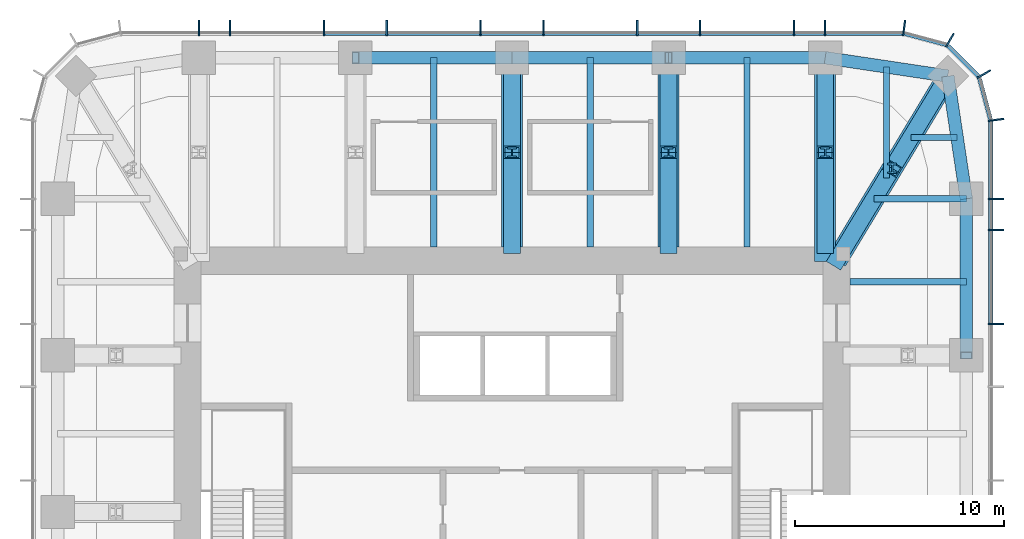
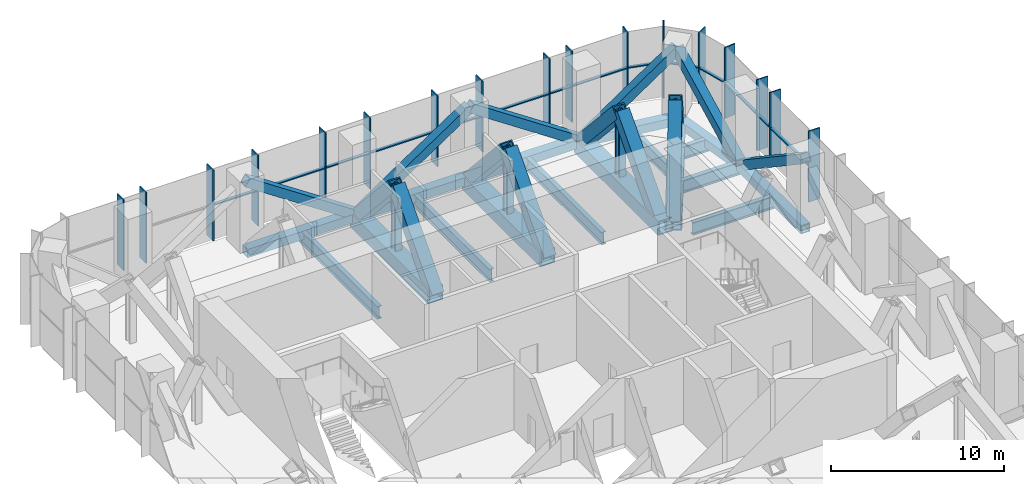
# One storey, part 4 of 9: 59 members, 7 beams, 3 elements without a shape of their own.
"""IFC4 building model written with IfcOpenShell, lengths in metres."""

from ifc_helpers import new_model, si_unit, direction, frame, origin, origin_2d, place, context, subcontext, project, spatial, rectangle, hollow_rectangle, i_section, extrude, material, material_profile, profile_set, type_object, element, aggregate, save


model = new_model("IFC4")

# Units and contexts
model_context = context("Model", 3, precision=1e-05, world=origin(), true_north=direction((0.0, 1.0)))
body_context = subcontext(model_context, "Body", "Model", "MODEL_VIEW")
ifc_project = project(units=[si_unit("LENGTHUNIT", "METRE"), si_unit("AREAUNIT", "SQUARE_METRE"), si_unit("VOLUMEUNIT", "CUBIC_METRE"), si_unit("PLANEANGLEUNIT", "RADIAN"), si_unit("MASSUNIT", "GRAM", prefix="KILO")], contexts=[model_context])

# Site, building, storey
site_placement = place(None, origin())
site = spatial("IfcSite", under=ifc_project, at=site_placement, CompositionType="ELEMENT")
building_placement = place(site_placement, origin())
building = spatial("IfcBuilding", under=site, at=building_placement, Name="Khuree Lantern Residences", CompositionType="ELEMENT")
storey_placement = place(building_placement, frame((0.0, 0.0, 353.25)))
storey = spatial("IfcBuildingStorey", under=building, at=storey_placement, Name="L89", CompositionType="ELEMENT", Elevation=353.25)

# Beams
ifc_material_1 = material(Name="Steel S355", Category="steel")
ifc_material_profile_1 = material_profile(ifc_material_1, i_section(OverallWidth=0.300048828125, OverallDepth=0.889892578125, WebThickness=0.01611328125, FlangeThickness=0.030029296875, FilletRadius=0.030029296875, at=origin_2d()), Name="HE 900 A")
ifc_profile_set_1 = profile_set([ifc_material_profile_1], Name="Steel S355")
beam_type_1 = type_object("IfcBeamType", Name="B-89 SECONDARY BEAM HE 900 A", PredefinedType="BEAM", material=ifc_profile_set_1)
for number, where, z_axis, x_axis, name in (
    (1, (-3.739990234375, 21.699951171875, -0.7451171875), (0.0, -1.0, 0.0), (1.0, 0.0, 0.0), "Secondary beam N2"),
    (2, (3.739990234375, 21.699951171875, -0.7451171875), (0.0, -1.0, 0.0), (1.0, 0.0, 0.0), "Secondary beam N3"),
    (3, (11.219970703125, 21.699951171875, -0.7451171875), (0.0, -1.0, 0.0), (1.0, 0.0, 0.0), "Secondary beam N4"),
):
    element("IfcBeam", number, at=place(storey_placement, frame(where, z_axis=z_axis, x_axis=x_axis)), inside=storey, type_object=beam_type_1, Name=name, PredefinedType="BEAM", context=body_context, shape_type="SweptSolid", body=[
        extrude(i_section(OverallWidth=0.300048828125, OverallDepth=0.889892578125, WebThickness=0.01611328125, FlangeThickness=0.030029296875, FilletRadius=0.030029296875, at=origin_2d()), origin(), (0.0, 0.0, 1.0), 9.050048828125),
    ])
beam_1_placement = place(storey_placement, frame((17.890625, 21.2607421875, -0.7451171875), z_axis=(0.0, -1.0, 0.0), x_axis=(1.0, 0.0, 0.0)))
element("IfcBeam", 4, at=beam_1_placement, inside=storey, type_object=beam_type_1, Name="Secondary beam N5", PredefinedType="BEAM", context=body_context, shape_type="SweptSolid", body=[
    extrude(i_section(OverallWidth=0.300048828125, OverallDepth=0.889892578125, WebThickness=0.01611328125, FlangeThickness=0.030029296875, FilletRadius=0.030029296875, at=origin_2d()), origin(), (0.0, 0.0, 1.0), 5.297607421875),
])
beam_2_placement = place(storey_placement, frame((21.2607421875, 17.890625, -0.7451171875), z_axis=(-1.0, 0.0, 0.0), x_axis=(0.0, -1.0, 0.0)))
element("IfcBeam", 5, at=beam_2_placement, inside=storey, type_object=beam_type_1, Name="Secondary beam E1", PredefinedType="BEAM", context=body_context, shape_type="SweptSolid", body=[
    extrude(i_section(OverallWidth=0.300048828125, OverallDepth=0.889892578125, WebThickness=0.01611328125, FlangeThickness=0.030029296875, FilletRadius=0.030029296875, at=origin_2d()), origin(), (0.0, 0.0, 1.0), 2.207275390625),
])
beam_3_placement = place(storey_placement, frame((21.699951171875, 11.0, -0.7451171875), z_axis=(-1.0, 0.0, 0.0), x_axis=(0.0, -1.0, 0.0)))
element("IfcBeam", 6, at=beam_3_placement, inside=storey, type_object=beam_type_1, Name="Secondary beam E2", PredefinedType="BEAM", context=body_context, shape_type="SweptSolid", body=[
    extrude(i_section(OverallWidth=0.300048828125, OverallDepth=0.889892578125, WebThickness=0.01611328125, FlangeThickness=0.030029296875, FilletRadius=0.030029296875, at=origin_2d()), origin(), (0.0, 0.0, 1.0), 5.550048828125),
])

# Members
ifc_material_profile_2 = material_profile(ifc_material_1, hollow_rectangle(XDim=0.60009765625, YDim=0.60009765625, WallThickness=0.050048828125, at=origin_2d()), Name="WELDED BOX 600X600X50")
ifc_profile_set_2 = profile_set([ifc_material_profile_2], Name="Steel S355")
member_type_1 = type_object("IfcMemberType", Name="BD-89 BELT TRUSS DIAGONAL WELDED BOX 600X600X50", PredefinedType="BRACE", material=ifc_profile_set_2)
for number, where, z_axis, x_axis, name in (
    (7, (-7.47998046875, 21.699951171875, 4.39990234375), (0.831365021271, 0.0, -0.555726732673), (0.0, 1.0, 0.0), "Belt truss diagonal N2"),
    (8, (0.0, 21.699951171875, -0.60009765625), (0.831365021271, 0.0, 0.555726732673), (0.0, 1.0, 0.0), "Belt truss diagonal N3"),
    (9, (7.47998046875, 21.699951171875, 4.39990234375), (0.831365021271, 0.0, -0.555726732673), (0.0, 1.0, 0.0), "Belt truss diagonal N4"),
):
    element("IfcMember", number, at=place(storey_placement, frame(where, z_axis=z_axis, x_axis=x_axis)), inside=storey, type_object=member_type_1, Name=name, PredefinedType="BRACE", context=body_context, shape_type="SweptSolid", body=[
        extrude(hollow_rectangle(XDim=0.60009765625, YDim=0.60009765625, WallThickness=0.050048828125, at=origin_2d()), origin(), (0.0, 0.0, 1.0), 8.997314453125),
    ])
for number, where, z_axis, x_axis, name in (
    (10, (14.9599609375, 21.699951171875, -0.60009765625), (0.755893293294, -0.113314726865, 0.644814005609), (0.148251822985, 0.988949643299, 0.0), "Belt truss diagonal N5"),
    (11, (20.8212890625, 20.8212890625, 4.39990234375), (0.113314726865, -0.755893293294, -0.644814005609), (0.988949643299, 0.148251822985, 0.0), "Belt truss diagonal E1"),
):
    element("IfcMember", number, at=place(storey_placement, frame(where, z_axis=z_axis, x_axis=x_axis)), inside=storey, type_object=member_type_1, Name=name, PredefinedType="BRACE", context=body_context, shape_type="SweptSolid", body=[
        extrude(hollow_rectangle(XDim=0.60009765625, YDim=0.60009765625, WallThickness=0.050048828125, at=origin_2d()), origin(), (0.0, 0.0, 1.0), 7.754150390625),
    ])
member_1_placement = place(storey_placement, frame((21.699951171875, 14.9599609375, -0.60009765625), z_axis=(0.0, -0.831365021271, 0.555726732673), x_axis=(1.0, 0.0, 0.0)))
element("IfcMember", 12, at=member_1_placement, inside=storey, type_object=member_type_1, Name="Belt truss diagonal E2", PredefinedType="BRACE", context=body_context, shape_type="SweptSolid", body=[
    extrude(hollow_rectangle(XDim=0.60009765625, YDim=0.60009765625, WallThickness=0.050048828125, at=origin_2d()), origin(), (0.0, 0.0, 1.0), 8.997314453125),
])
ifc_material_profile_3 = material_profile(ifc_material_1, hollow_rectangle(XDim=0.60009765625, YDim=0.60009765625, WallThickness=0.050048828125, at=origin_2d()), Name="WELDED BOX 600X600X50")
ifc_profile_set_3 = profile_set([ifc_material_profile_3], Name="Steel S355")
member_type_2 = type_object("IfcMemberType", Name="BT-89 BELT TRUSS CHORD WELDED BOX 600X600X50", PredefinedType="CHORD", material=ifc_profile_set_3)
for number, where, z_axis, x_axis, name in (
    (13, (-7.47998046875, 21.699951171875, -0.60009765625), (1.0, 0.0, 0.0), (0.0, 1.0, 0.0), "Belt truss chord N2"),
    (14, (0.0, 21.699951171875, -0.60009765625), (1.0, 0.0, 0.0), (0.0, 1.0, 0.0), "Belt truss chord N3"),
    (15, (7.47998046875, 21.699951171875, -0.60009765625), (1.0, 0.0, 0.0), (0.0, 1.0, 0.0), "Belt truss chord N4"),
):
    element("IfcMember", number, at=place(storey_placement, frame(where, z_axis=z_axis, x_axis=x_axis)), inside=storey, type_object=member_type_2, Name=name, PredefinedType="CHORD", context=body_context, shape_type="SweptSolid", body=[
        extrude(hollow_rectangle(XDim=0.60009765625, YDim=0.60009765625, WallThickness=0.050048828125, at=origin_2d()), origin(), (0.0, 0.0, 1.0), 7.47998046875),
    ])
for number, where, z_axis, x_axis, name in (
    (16, (14.9599609375, 21.699951171875, -0.60009765625), (0.988949643299, -0.148251822985, 0.0), (0.148251822985, 0.988949643299, 0.0), "Belt truss chord N5"),
    (17, (20.8212890625, 20.8212890625, -0.60009765625), (0.148251822985, -0.988949643299, 0.0), (0.988949643299, 0.148251822985, 0.0), "Belt truss chord E1"),
):
    element("IfcMember", number, at=place(storey_placement, frame(where, z_axis=z_axis, x_axis=x_axis)), inside=storey, type_object=member_type_2, Name=name, PredefinedType="CHORD", context=body_context, shape_type="SweptSolid", body=[
        extrude(hollow_rectangle(XDim=0.60009765625, YDim=0.60009765625, WallThickness=0.050048828125, at=origin_2d()), origin(), (0.0, 0.0, 1.0), 5.9267578125),
    ])
member_2_placement = place(storey_placement, frame((21.699951171875, 14.9599609375, -0.60009765625), z_axis=(0.0, -1.0, 0.0), x_axis=(1.0, 0.0, 0.0)))
element("IfcMember", 18, at=member_2_placement, inside=storey, type_object=member_type_2, Name="Belt truss chord E2", PredefinedType="CHORD", context=body_context, shape_type="SweptSolid", body=[
    extrude(hollow_rectangle(XDim=0.60009765625, YDim=0.60009765625, WallThickness=0.050048828125, at=origin_2d()), origin(), (0.0, 0.0, 1.0), 7.47998046875),
])

# Curtain wall, members
ifc_material_2 = material(Name="Bronze anodised aluminium", Category="aluminium")
curtain_wall_type = type_object("IfcCurtainWallType", Name="CW-L LANTERN CROWN CURTAIN WALL", PredefinedType="USERDEFINED", material=ifc_material_2)
curtain_wall_1_placement = place(storey_placement, origin())
curtain_wall_1 = element("IfcCurtainWall", 19, at=curtain_wall_1_placement, inside=storey, type_object=curtain_wall_type, Name="L89 EAST FACE CURTAIN WALL", ObjectType="Lantern curtain wall", PredefinedType="USERDEFINED")
ifc_material_profile_4 = material_profile(ifc_material_2, rectangle(XDim=0.074951171875, YDim=0.75, at=origin_2d()), Name="F4 75X750")
ifc_profile_set_4 = profile_set([ifc_material_profile_4], Name="Bronze anodised aluminium")
member_type_3 = type_object("IfcMemberType", Name="F4 BRONZE FIN MULLION LANTERN 75X750", PredefinedType="MULLION", material=ifc_profile_set_4)
member_3_placement = place(storey_placement, frame((23.125, 8.97607421875, 0.0), z_axis=(0.0, 0.0, 1.0), x_axis=(0.0, 1.0, 0.0)))
member_3 = element("IfcMember", 20, at=member_3_placement, type_object=member_type_3, Name="L89 EAST FACE FIN MULLION 12", PredefinedType="MULLION", context=body_context, shape_type="SweptSolid", body=[
    extrude(rectangle(XDim=0.074951171875, YDim=0.75, at=origin_2d()), origin(), (0.0, 0.0, 1.0), 5.0),
])
member_4_placement = place(storey_placement, frame((23.125, 13.464111328125, 0.0), z_axis=(0.0, 0.0, 1.0), x_axis=(0.0, 1.0, 0.0)))
member_4 = element("IfcMember", 21, at=member_4_placement, type_object=member_type_3, Name="L89 EAST FACE FIN MULLION 13", PredefinedType="MULLION", context=body_context, shape_type="SweptSolid", body=[
    extrude(rectangle(XDim=0.074951171875, YDim=0.75, at=origin_2d()), origin(), (0.0, 0.0, 1.0), 5.0),
])
member_5_placement = place(storey_placement, frame((23.125, 14.9599609375, 0.0), z_axis=(0.0, 0.0, 1.0), x_axis=(0.0, 1.0, 0.0)))
member_5 = element("IfcMember", 22, at=member_5_placement, type_object=member_type_3, Name="L89 EAST FACE FIN MULLION 14", PredefinedType="MULLION", context=body_context, shape_type="SweptSolid", body=[
    extrude(rectangle(XDim=0.074951171875, YDim=0.75, at=origin_2d()), origin(), (0.0, 0.0, 1.0), 5.0),
])

curtain_wall_2_placement = place(storey_placement, origin())
curtain_wall_2 = element("IfcCurtainWall", 23, at=curtain_wall_2_placement, inside=storey, type_object=curtain_wall_type, Name="L89 NORTH-EAST CORNER CURTAIN WALL", ObjectType="Lantern curtain wall", PredefinedType="USERDEFINED")
member_6_placement = place(storey_placement, frame((23.12451171875, 18.7294921875, 0.0), z_axis=(0.0, 0.0, 1.0), x_axis=(-0.130526125236, 0.991444870192, 0.0)))
member_6 = element("IfcMember", 24, at=member_6_placement, type_object=member_type_3, Name="L89 NORTH-EAST CORNER FIN MULLION 15", PredefinedType="MULLION", context=body_context, shape_type="SweptSolid", body=[
    extrude(rectangle(XDim=0.074951171875, YDim=0.75, at=origin_2d()), origin(), (0.0, 0.0, 1.0), 5.0),
])
member_7_placement = place(storey_placement, frame((22.5322265625, 20.91259765625, 0.0), z_axis=(0.0, 0.0, 1.0), x_axis=(-0.49999994149, 0.866025437565, 0.0)))
member_7 = element("IfcMember", 25, at=member_7_placement, type_object=member_type_3, Name="L89 NORTH-EAST CORNER FIN MULLION 16", PredefinedType="MULLION", context=body_context, shape_type="SweptSolid", body=[
    extrude(rectangle(XDim=0.074951171875, YDim=0.75, at=origin_2d()), origin(), (0.0, 0.0, 1.0), 5.0),
])
member_8_placement = place(storey_placement, frame((20.91259765625, 22.5322265625, 0.0), z_axis=(0.0, 0.0, 1.0), x_axis=(-0.866025437565, 0.49999994149, 0.0)))
member_8 = element("IfcMember", 26, at=member_8_placement, type_object=member_type_3, Name="L89 NORTH-EAST CORNER FIN MULLION 17", PredefinedType="MULLION", context=body_context, shape_type="SweptSolid", body=[
    extrude(rectangle(XDim=0.074951171875, YDim=0.75, at=origin_2d()), origin(), (0.0, 0.0, 1.0), 5.0),
])

curtain_wall_3_placement = place(storey_placement, origin())
curtain_wall_3 = element("IfcCurtainWall", 27, at=curtain_wall_3_placement, inside=storey, type_object=curtain_wall_type, Name="L89 NORTH FACE CURTAIN WALL", ObjectType="Lantern curtain wall", PredefinedType="USERDEFINED")
member_9_placement = place(storey_placement, frame((18.7294921875, 23.12451171875, 0.0), z_axis=(0.0, 0.0, 1.0), x_axis=(-0.991444870192, 0.130526125236, 0.0)))
member_9 = element("IfcMember", 28, at=member_9_placement, type_object=member_type_3, Name="L89 NORTH FACE FIN MULLION 18", PredefinedType="MULLION", context=body_context, shape_type="SweptSolid", body=[
    extrude(rectangle(XDim=0.074951171875, YDim=0.75, at=origin_2d()), origin(), (0.0, 0.0, 1.0), 5.0),
])
member_10_placement = place(storey_placement, frame((14.9599609375, 23.125, 0.0), z_axis=(0.0, 0.0, 1.0), x_axis=(-1.0, 0.0, 0.0)))
member_10 = element("IfcMember", 29, at=member_10_placement, type_object=member_type_3, Name="L89 NORTH FACE FIN MULLION 19", PredefinedType="MULLION", context=body_context, shape_type="SweptSolid", body=[
    extrude(rectangle(XDim=0.074951171875, YDim=0.75, at=origin_2d()), origin(), (0.0, 0.0, 1.0), 5.0),
])
member_11_placement = place(storey_placement, frame((13.464111328125, 23.125, 0.0), z_axis=(0.0, 0.0, 1.0), x_axis=(-1.0, 0.0, 0.0)))
member_11 = element("IfcMember", 30, at=member_11_placement, type_object=member_type_3, Name="L89 NORTH FACE FIN MULLION 20", PredefinedType="MULLION", context=body_context, shape_type="SweptSolid", body=[
    extrude(rectangle(XDim=0.074951171875, YDim=0.75, at=origin_2d()), origin(), (0.0, 0.0, 1.0), 5.0),
])
member_12_placement = place(storey_placement, frame((8.97607421875, 23.125, 0.0), z_axis=(0.0, 0.0, 1.0), x_axis=(-1.0, 0.0, 0.0)))
member_12 = element("IfcMember", 31, at=member_12_placement, type_object=member_type_3, Name="L89 NORTH FACE FIN MULLION 21", PredefinedType="MULLION", context=body_context, shape_type="SweptSolid", body=[
    extrude(rectangle(XDim=0.074951171875, YDim=0.75, at=origin_2d()), origin(), (0.0, 0.0, 1.0), 5.0),
])
member_13_placement = place(storey_placement, frame((5.98388671875, 23.125, 0.0), z_axis=(0.0, 0.0, 1.0), x_axis=(-1.0, 0.0, 0.0)))
member_13 = element("IfcMember", 32, at=member_13_placement, type_object=member_type_3, Name="L89 NORTH FACE FIN MULLION 22", PredefinedType="MULLION", context=body_context, shape_type="SweptSolid", body=[
    extrude(rectangle(XDim=0.074951171875, YDim=0.75, at=origin_2d()), origin(), (0.0, 0.0, 1.0), 5.0),
])
member_14_placement = place(storey_placement, frame((1.49609375, 23.125, 0.0), z_axis=(0.0, 0.0, 1.0), x_axis=(-1.0, 0.0, 0.0)))
member_14 = element("IfcMember", 33, at=member_14_placement, type_object=member_type_3, Name="L89 NORTH FACE FIN MULLION 23", PredefinedType="MULLION", context=body_context, shape_type="SweptSolid", body=[
    extrude(rectangle(XDim=0.074951171875, YDim=0.75, at=origin_2d()), origin(), (0.0, 0.0, 1.0), 5.0),
])
member_15_placement = place(storey_placement, frame((-1.49609375, 23.125, 0.0), z_axis=(0.0, 0.0, 1.0), x_axis=(-1.0, 0.0, 0.0)))
member_15 = element("IfcMember", 34, at=member_15_placement, type_object=member_type_3, Name="L89 NORTH FACE FIN MULLION 24", PredefinedType="MULLION", context=body_context, shape_type="SweptSolid", body=[
    extrude(rectangle(XDim=0.074951171875, YDim=0.75, at=origin_2d()), origin(), (0.0, 0.0, 1.0), 5.0),
])
member_16_placement = place(storey_placement, frame((-5.98388671875, 23.125, 0.0), z_axis=(0.0, 0.0, 1.0), x_axis=(-1.0, 0.0, 0.0)))
member_16 = element("IfcMember", 35, at=member_16_placement, type_object=member_type_3, Name="L89 NORTH FACE FIN MULLION 25", PredefinedType="MULLION", context=body_context, shape_type="SweptSolid", body=[
    extrude(rectangle(XDim=0.074951171875, YDim=0.75, at=origin_2d()), origin(), (0.0, 0.0, 1.0), 5.0),
])
member_17_placement = place(storey_placement, frame((-8.97607421875, 23.125, 0.0), z_axis=(0.0, 0.0, 1.0), x_axis=(-1.0, 0.0, 0.0)))
member_17 = element("IfcMember", 36, at=member_17_placement, type_object=member_type_3, Name="L89 NORTH FACE FIN MULLION 26", PredefinedType="MULLION", context=body_context, shape_type="SweptSolid", body=[
    extrude(rectangle(XDim=0.074951171875, YDim=0.75, at=origin_2d()), origin(), (0.0, 0.0, 1.0), 5.0),
])
member_18_placement = place(storey_placement, frame((-13.464111328125, 23.125, 0.0), z_axis=(0.0, 0.0, 1.0), x_axis=(-1.0, 0.0, 0.0)))
member_18 = element("IfcMember", 37, at=member_18_placement, type_object=member_type_3, Name="L89 NORTH FACE FIN MULLION 27", PredefinedType="MULLION", context=body_context, shape_type="SweptSolid", body=[
    extrude(rectangle(XDim=0.074951171875, YDim=0.75, at=origin_2d()), origin(), (0.0, 0.0, 1.0), 5.0),
])
member_19_placement = place(storey_placement, frame((-14.9599609375, 23.125, 0.0), z_axis=(0.0, 0.0, 1.0), x_axis=(-1.0, 0.0, 0.0)))
member_19 = element("IfcMember", 38, at=member_19_placement, type_object=member_type_3, Name="L89 NORTH FACE FIN MULLION 28", PredefinedType="MULLION", context=body_context, shape_type="SweptSolid", body=[
    extrude(rectangle(XDim=0.074951171875, YDim=0.75, at=origin_2d()), origin(), (0.0, 0.0, 1.0), 5.0),
])

# Beam
ifc_material_profile_5 = material_profile(ifc_material_1, i_section(OverallWidth=0.300048828125, OverallDepth=0.89990234375, WebThickness=0.0185546875, FlangeThickness=0.034912109375, FilletRadius=0.030029296875, at=origin_2d()), Name="HE 900 B")
ifc_profile_set_5 = profile_set([ifc_material_profile_5], Name="Steel S355")
beam_type_2 = type_object("IfcBeamType", Name="G-89 GIRDER HE 900 B", PredefinedType="BEAM", material=ifc_profile_set_5)
beam_4_placement = place(storey_placement, frame((21.699951171875, 14.9599609375, -0.75), z_axis=(-1.0, 0.0, 0.0), x_axis=(0.0, -1.0, 0.0)))
element("IfcBeam", 39, at=beam_4_placement, inside=storey, type_object=beam_type_2, Name="Girder E1", PredefinedType="BEAM", context=body_context, shape_type="SweptSolid", body=[
    extrude(i_section(OverallWidth=0.300048828125, OverallDepth=0.89990234375, WebThickness=0.0185546875, FlangeThickness=0.034912109375, FilletRadius=0.030029296875, at=origin_2d()), origin(), (0.0, 0.0, 1.0), 4.414306640625),
])

# Members
ifc_material_profile_6 = material_profile(ifc_material_1, hollow_rectangle(XDim=0.800048828125, YDim=0.800048828125, WallThickness=0.070068359375, at=origin_2d()), Name="WELDED BOX 800X800X70")
ifc_profile_set_6 = profile_set([ifc_material_profile_6], Name="Steel S355")
member_type_4 = type_object("IfcMemberType", Name="OD-89 OUTRIGGER TRUSS DIAGONAL WELDED BOX 800X800X70", PredefinedType="BRACE", material=ifc_profile_set_6)
for number, where, z_axis, x_axis, name in (
    (40, (15.5, 12.0, -0.800048828125), (0.370633716413, 0.614412618894, 0.696511149948), (-0.856269347495, 0.516529577604, 0.0), "Outrigger diagonal NE core side"),
    (41, (18.16064453125, 16.41064453125, 4.199951171875), (0.370633716413, 0.614412618894, -0.696511149948), (-0.856269347495, 0.516529577604, 0.0), "Outrigger diagonal NE column side"),
):
    element("IfcMember", number, at=place(storey_placement, frame(where, z_axis=z_axis, x_axis=x_axis)), inside=storey, type_object=member_type_4, Name=name, PredefinedType="BRACE", context=body_context, shape_type="SweptSolid", body=[
        extrude(hollow_rectangle(XDim=0.800048828125, YDim=0.800048828125, WallThickness=0.070068359375, at=origin_2d()), origin(), (0.0, 0.0, 1.0), 7.1787109375),
    ])
member_20_placement = place(storey_placement, frame((0.0, 12.64990234375, -0.800048828125), z_axis=(0.0, 0.671022331943, 0.741437138289), x_axis=(-1.0, 0.0, 0.0)))
element("IfcMember", 42, at=member_20_placement, inside=storey, type_object=member_type_4, Name="Outrigger diagonal N3 core side", PredefinedType="BRACE", context=body_context, shape_type="SweptSolid", body=[
    extrude(hollow_rectangle(XDim=0.800048828125, YDim=0.800048828125, WallThickness=0.070068359375, at=origin_2d()), origin(), (0.0, 0.0, 1.0), 6.74365234375),
])
member_21_placement = place(storey_placement, frame((0.0, 17.175048828125, 4.199951171875), z_axis=(0.0, 0.671002429385, -0.7414551502), x_axis=(-1.0, 0.0, 0.0)))
element("IfcMember", 43, at=member_21_placement, inside=storey, type_object=member_type_4, Name="Outrigger diagonal N3 column side", PredefinedType="BRACE", context=body_context, shape_type="SweptSolid", body=[
    extrude(hollow_rectangle(XDim=0.800048828125, YDim=0.800048828125, WallThickness=0.070068359375, at=origin_2d()), origin(), (0.0, 0.0, 1.0), 6.743408203125),
])
member_22_placement = place(storey_placement, frame((7.47998046875, 12.64990234375, -0.800048828125), z_axis=(0.0, 0.671022331943, 0.741437138289), x_axis=(-1.0, 0.0, 0.0)))
element("IfcMember", 44, at=member_22_placement, inside=storey, type_object=member_type_4, Name="Outrigger diagonal N4 core side", PredefinedType="BRACE", context=body_context, shape_type="SweptSolid", body=[
    extrude(hollow_rectangle(XDim=0.800048828125, YDim=0.800048828125, WallThickness=0.070068359375, at=origin_2d()), origin(), (0.0, 0.0, 1.0), 6.74365234375),
])
member_23_placement = place(storey_placement, frame((7.47998046875, 17.175048828125, 4.199951171875), z_axis=(0.0, 0.671002429385, -0.7414551502), x_axis=(-1.0, 0.0, 0.0)))
element("IfcMember", 45, at=member_23_placement, inside=storey, type_object=member_type_4, Name="Outrigger diagonal N4 column side", PredefinedType="BRACE", context=body_context, shape_type="SweptSolid", body=[
    extrude(hollow_rectangle(XDim=0.800048828125, YDim=0.800048828125, WallThickness=0.070068359375, at=origin_2d()), origin(), (0.0, 0.0, 1.0), 6.743408203125),
])
member_24_placement = place(storey_placement, frame((14.9599609375, 12.64990234375, -0.800048828125), z_axis=(0.0, 0.671022331943, 0.741437138289), x_axis=(-1.0, 0.0, 0.0)))
element("IfcMember", 46, at=member_24_placement, inside=storey, type_object=member_type_4, Name="Outrigger diagonal N5 core side", PredefinedType="BRACE", context=body_context, shape_type="SweptSolid", body=[
    extrude(hollow_rectangle(XDim=0.800048828125, YDim=0.800048828125, WallThickness=0.070068359375, at=origin_2d()), origin(), (0.0, 0.0, 1.0), 6.74365234375),
])
member_25_placement = place(storey_placement, frame((14.9599609375, 17.175048828125, 4.199951171875), z_axis=(0.0, 0.671002429385, -0.7414551502), x_axis=(-1.0, 0.0, 0.0)))
element("IfcMember", 47, at=member_25_placement, inside=storey, type_object=member_type_4, Name="Outrigger diagonal N5 column side", PredefinedType="BRACE", context=body_context, shape_type="SweptSolid", body=[
    extrude(hollow_rectangle(XDim=0.800048828125, YDim=0.800048828125, WallThickness=0.070068359375, at=origin_2d()), origin(), (0.0, 0.0, 1.0), 6.743408203125),
])
ifc_material_profile_7 = material_profile(ifc_material_1, i_section(OverallWidth=0.431884765625, OverallDepth=0.498046875, WebThickness=0.0556640625, FlangeThickness=0.0888671875, FilletRadius=0.014892578125, at=origin_2d()), Name="HD 400X744")
ifc_profile_set_7 = profile_set([ifc_material_profile_7], Name="Steel S355")
member_type_5 = type_object("IfcMemberType", Name="OP-89 OUTRIGGER TRUSS POST HD 400X744", PredefinedType="POST", material=ifc_profile_set_7)
for number, where, z_axis, x_axis, name in (
    (48, (18.16064453125, 16.41064453125, -0.800048828125), (0.0, 0.0, 1.0), (1.0, 0.0, 0.0), "Outrigger post NE"),
    (49, (0.0, 17.175048828125, -0.800048828125), (0.0, 0.0, 1.0), (1.0, 0.0, 0.0), "Outrigger post N3"),
    (50, (7.47998046875, 17.175048828125, -0.800048828125), (0.0, 0.0, 1.0), (1.0, 0.0, 0.0), "Outrigger post N4"),
    (51, (14.9599609375, 17.175048828125, -0.800048828125), (0.0, 0.0, 1.0), (1.0, 0.0, 0.0), "Outrigger post N5"),
):
    element("IfcMember", number, at=place(storey_placement, frame(where, z_axis=z_axis, x_axis=x_axis)), inside=storey, type_object=member_type_5, Name=name, PredefinedType="POST", context=body_context, shape_type="SweptSolid", body=[
        extrude(i_section(OverallWidth=0.431884765625, OverallDepth=0.498046875, WebThickness=0.0556640625, FlangeThickness=0.0888671875, FilletRadius=0.014892578125, at=origin_2d()), origin(), (0.0, 0.0, 1.0), 5.0),
    ])
ifc_material_profile_8 = material_profile(ifc_material_1, hollow_rectangle(XDim=1.0, YDim=1.0, WallThickness=0.080078125, at=origin_2d()), Name="WELDED BOX 1000X1000X80")
ifc_profile_set_8 = profile_set([ifc_material_profile_8], Name="Steel S355")
member_type_6 = type_object("IfcMemberType", Name="OT-89 OUTRIGGER TRUSS CHORD WELDED BOX 1000X1000X80", PredefinedType="CHORD", material=ifc_profile_set_8)
for number, where, z_axis, x_axis, name in (
    (52, (0.0, 21.699951171875, -0.800048828125), (0.0, -1.0, 0.0), (1.0, 0.0, 0.0), "Outrigger chord N3"),
    (53, (7.47998046875, 21.699951171875, -0.800048828125), (0.0, -1.0, 0.0), (1.0, 0.0, 0.0), "Outrigger chord N4"),
):
    element("IfcMember", number, at=place(storey_placement, frame(where, z_axis=z_axis, x_axis=x_axis)), inside=storey, type_object=member_type_6, Name=name, PredefinedType="CHORD", context=body_context, shape_type="SweptSolid", body=[
        extrude(hollow_rectangle(XDim=1.0, YDim=1.0, WallThickness=0.080078125, at=origin_2d()), origin(), (0.0, 0.0, 1.0), 9.050048828125),
    ])
member_26_placement = place(storey_placement, frame((14.9599609375, 21.699951171875, -0.800048828125), z_axis=(0.0, -1.0, 0.0), x_axis=(1.0, 0.0, 0.0)))
element("IfcMember", 54, at=member_26_placement, inside=storey, type_object=member_type_6, Name="Outrigger chord N5", PredefinedType="CHORD", context=body_context, shape_type="SweptSolid", body=[
    extrude(hollow_rectangle(XDim=1.0, YDim=1.0, WallThickness=0.080078125, at=origin_2d()), origin(), (0.0, 0.0, 1.0), 9.723876953125),
])
member_27_placement = place(storey_placement, frame((20.8212890625, 20.8212890625, -0.800048828125), z_axis=(-0.516529577604, -0.856269347495, 0.0), x_axis=(0.856269347495, -0.516529577604, 0.0)))
element("IfcMember", 55, at=member_27_placement, inside=storey, type_object=member_type_6, Name="Outrigger chord NE", PredefinedType="CHORD", context=body_context, shape_type="SweptSolid", body=[
    extrude(hollow_rectangle(XDim=1.0, YDim=1.0, WallThickness=0.080078125, at=origin_2d()), origin(), (0.0, 0.0, 1.0), 10.302001953125),
])

# Member
ifc_material_profile_9 = material_profile(ifc_material_2, rectangle(XDim=0.199951171875, YDim=0.074951171875, at=origin_2d()), Name="T4 200X75")
ifc_profile_set_9 = profile_set([ifc_material_profile_9], Name="Bronze anodised aluminium")
member_type_7 = type_object("IfcMemberType", Name="TRANSOM T4 LANTERN 200X75", PredefinedType="USERDEFINED", material=ifc_profile_set_9)
member_28_placement = place(storey_placement, frame((22.8701171875, 9.013427734375, 2.5), z_axis=(0.0, 1.0, 0.0), x_axis=(-1.0, 0.0, 0.0)))
member_28 = element("IfcMember", 56, at=member_28_placement, type_object=member_type_7, Name="L89 EAST FACE TRANSOM 12.1", ObjectType="Transom", PredefinedType="USERDEFINED", context=body_context, shape_type="SweptSolid", body=[
    extrude(rectangle(XDim=0.199951171875, YDim=0.074951171875, at=origin_2d()), origin(), (0.0, 0.0, 1.0), 4.4130859375),
])

member_29_placement = place(storey_placement, frame((22.8701171875, 13.50146484375, 2.5), z_axis=(0.0, 1.0, 0.0), x_axis=(-1.0, 0.0, 0.0)))
member_29 = element("IfcMember", 57, at=member_29_placement, type_object=member_type_7, Name="L89 EAST FACE TRANSOM 13.1", ObjectType="Transom", PredefinedType="USERDEFINED", context=body_context, shape_type="SweptSolid", body=[
    extrude(rectangle(XDim=0.199951171875, YDim=0.074951171875, at=origin_2d()), origin(), (0.0, 0.0, 1.0), 1.421142578125),
])

member_30_placement = place(storey_placement, frame((22.8701171875, 14.99755859375, 2.5), z_axis=(0.0, 1.0, 0.0), x_axis=(-1.0, 0.0, 0.0)))
member_30 = element("IfcMember", 58, at=member_30_placement, type_object=member_type_7, Name="L89 EAST FACE TRANSOM 14.1", ObjectType="Transom", PredefinedType="USERDEFINED", context=body_context, shape_type="SweptSolid", body=[
    extrude(rectangle(XDim=0.199951171875, YDim=0.074951171875, at=origin_2d()), origin(), (0.0, 0.0, 1.0), 3.6474609375),
])

aggregate(curtain_wall_1, [member_3, member_4, member_5, member_28, member_29, member_30])

member_31_placement = place(storey_placement, frame((22.856689453125, 18.745361328125, 2.5), z_axis=(-0.258761937717, 0.965941126358, 0.0), x_axis=(-0.965941126358, -0.258761937717, 0.0)))
member_31 = element("IfcMember", 59, at=member_31_placement, type_object=member_type_7, Name="L89 NORTH-EAST CORNER TRANSOM 15.1", ObjectType="Transom", PredefinedType="USERDEFINED", context=body_context, shape_type="SweptSolid", body=[
    extrude(rectangle(XDim=0.199951171875, YDim=0.074951171875, at=origin_2d()), origin(), (0.0, 0.0, 1.0), 2.04541015625),
])

member_32_placement = place(storey_placement, frame((22.263916015625, 20.830810546875, 2.5), z_axis=(-0.707106781187, 0.707106781187, 0.0), x_axis=(-0.707106781187, -0.707106781187, 0.0)))
member_32 = element("IfcMember", 60, at=member_32_placement, type_object=member_type_7, Name="L89 NORTH-EAST CORNER TRANSOM 16.1", ObjectType="Transom", PredefinedType="USERDEFINED", context=body_context, shape_type="SweptSolid", body=[
    extrude(rectangle(XDim=0.199951171875, YDim=0.074951171875, at=origin_2d()), origin(), (0.0, 0.0, 1.0), 2.026611328125),
])

member_33_placement = place(storey_placement, frame((20.72119140625, 22.327392578125, 2.5), z_axis=(-0.965941126358, 0.258761937717, 0.0), x_axis=(-0.258761937717, -0.965941126358, 0.0)))
member_33 = element("IfcMember", 61, at=member_33_placement, type_object=member_type_7, Name="L89 NORTH-EAST CORNER TRANSOM 17.1", ObjectType="Transom", PredefinedType="USERDEFINED", context=body_context, shape_type="SweptSolid", body=[
    extrude(rectangle(XDim=0.199951171875, YDim=0.074951171875, at=origin_2d()), origin(), (0.0, 0.0, 1.0), 2.04541015625),
])

aggregate(curtain_wall_2, [member_6, member_7, member_8, member_31, member_32, member_33])

member_34_placement = place(storey_placement, frame((18.64501953125, 22.8701171875, 2.5), z_axis=(-1.0, 0.0, 0.0), x_axis=(0.0, -1.0, 0.0)))
member_34 = element("IfcMember", 62, at=member_34_placement, type_object=member_type_7, Name="L89 NORTH FACE TRANSOM 18.1", ObjectType="Transom", PredefinedType="USERDEFINED", context=body_context, shape_type="SweptSolid", body=[
    extrude(rectangle(XDim=0.199951171875, YDim=0.074951171875, at=origin_2d()), origin(), (0.0, 0.0, 1.0), 3.6474609375),
])

member_35_placement = place(storey_placement, frame((14.922607421875, 22.8701171875, 2.5), z_axis=(-1.0, 0.0, 0.0), x_axis=(0.0, -1.0, 0.0)))
member_35 = element("IfcMember", 63, at=member_35_placement, type_object=member_type_7, Name="L89 NORTH FACE TRANSOM 19.1", ObjectType="Transom", PredefinedType="USERDEFINED", context=body_context, shape_type="SweptSolid", body=[
    extrude(rectangle(XDim=0.199951171875, YDim=0.074951171875, at=origin_2d()), origin(), (0.0, 0.0, 1.0), 1.421142578125),
])

member_36_placement = place(storey_placement, frame((13.426513671875, 22.8701171875, 2.5), z_axis=(-1.0, 0.0, 0.0), x_axis=(0.0, -1.0, 0.0)))
member_36 = element("IfcMember", 64, at=member_36_placement, type_object=member_type_7, Name="L89 NORTH FACE TRANSOM 20.1", ObjectType="Transom", PredefinedType="USERDEFINED", context=body_context, shape_type="SweptSolid", body=[
    extrude(rectangle(XDim=0.199951171875, YDim=0.074951171875, at=origin_2d()), origin(), (0.0, 0.0, 1.0), 4.4130859375),
])

member_37_placement = place(storey_placement, frame((8.9384765625, 22.8701171875, 2.5), z_axis=(-1.0, 0.0, 0.0), x_axis=(0.0, -1.0, 0.0)))
member_37 = element("IfcMember", 65, at=member_37_placement, type_object=member_type_7, Name="L89 NORTH FACE TRANSOM 21.1", ObjectType="Transom", PredefinedType="USERDEFINED", context=body_context, shape_type="SweptSolid", body=[
    extrude(rectangle(XDim=0.199951171875, YDim=0.074951171875, at=origin_2d()), origin(), (0.0, 0.0, 1.0), 2.9169921875),
])

member_38_placement = place(storey_placement, frame((5.946533203125, 22.8701171875, 2.5), z_axis=(-1.0, 0.0, 0.0), x_axis=(0.0, -1.0, 0.0)))
member_38 = element("IfcMember", 66, at=member_38_placement, type_object=member_type_7, Name="L89 NORTH FACE TRANSOM 22.1", ObjectType="Transom", PredefinedType="USERDEFINED", context=body_context, shape_type="SweptSolid", body=[
    extrude(rectangle(XDim=0.199951171875, YDim=0.074951171875, at=origin_2d()), origin(), (0.0, 0.0, 1.0), 4.4130859375),
])

member_39_placement = place(storey_placement, frame((1.45849609375, 22.8701171875, 2.5), z_axis=(-1.0, 0.0, 0.0), x_axis=(0.0, -1.0, 0.0)))
member_39 = element("IfcMember", 67, at=member_39_placement, type_object=member_type_7, Name="L89 NORTH FACE TRANSOM 23.1", ObjectType="Transom", PredefinedType="USERDEFINED", context=body_context, shape_type="SweptSolid", body=[
    extrude(rectangle(XDim=0.199951171875, YDim=0.074951171875, at=origin_2d()), origin(), (0.0, 0.0, 1.0), 2.9169921875),
])

member_40_placement = place(storey_placement, frame((-1.533447265625, 22.8701171875, 2.5), z_axis=(-1.0, 0.0, 0.0), x_axis=(0.0, -1.0, 0.0)))
member_40 = element("IfcMember", 68, at=member_40_placement, type_object=member_type_7, Name="L89 NORTH FACE TRANSOM 24.1", ObjectType="Transom", PredefinedType="USERDEFINED", context=body_context, shape_type="SweptSolid", body=[
    extrude(rectangle(XDim=0.199951171875, YDim=0.074951171875, at=origin_2d()), origin(), (0.0, 0.0, 1.0), 4.4130859375),
])

member_41_placement = place(storey_placement, frame((-6.021484375, 22.8701171875, 2.5), z_axis=(-1.0, 0.0, 0.0), x_axis=(0.0, -1.0, 0.0)))
member_41 = element("IfcMember", 69, at=member_41_placement, type_object=member_type_7, Name="L89 NORTH FACE TRANSOM 25.1", ObjectType="Transom", PredefinedType="USERDEFINED", context=body_context, shape_type="SweptSolid", body=[
    extrude(rectangle(XDim=0.199951171875, YDim=0.074951171875, at=origin_2d()), origin(), (0.0, 0.0, 1.0), 2.9169921875),
])

aggregate(curtain_wall_3, [member_9, member_10, member_11, member_12, member_13, member_14, member_15, member_16, member_17, member_18, member_19, member_34, member_35, member_36, member_37, member_38, member_39, member_40, member_41])

save(model, "model.ifc")
